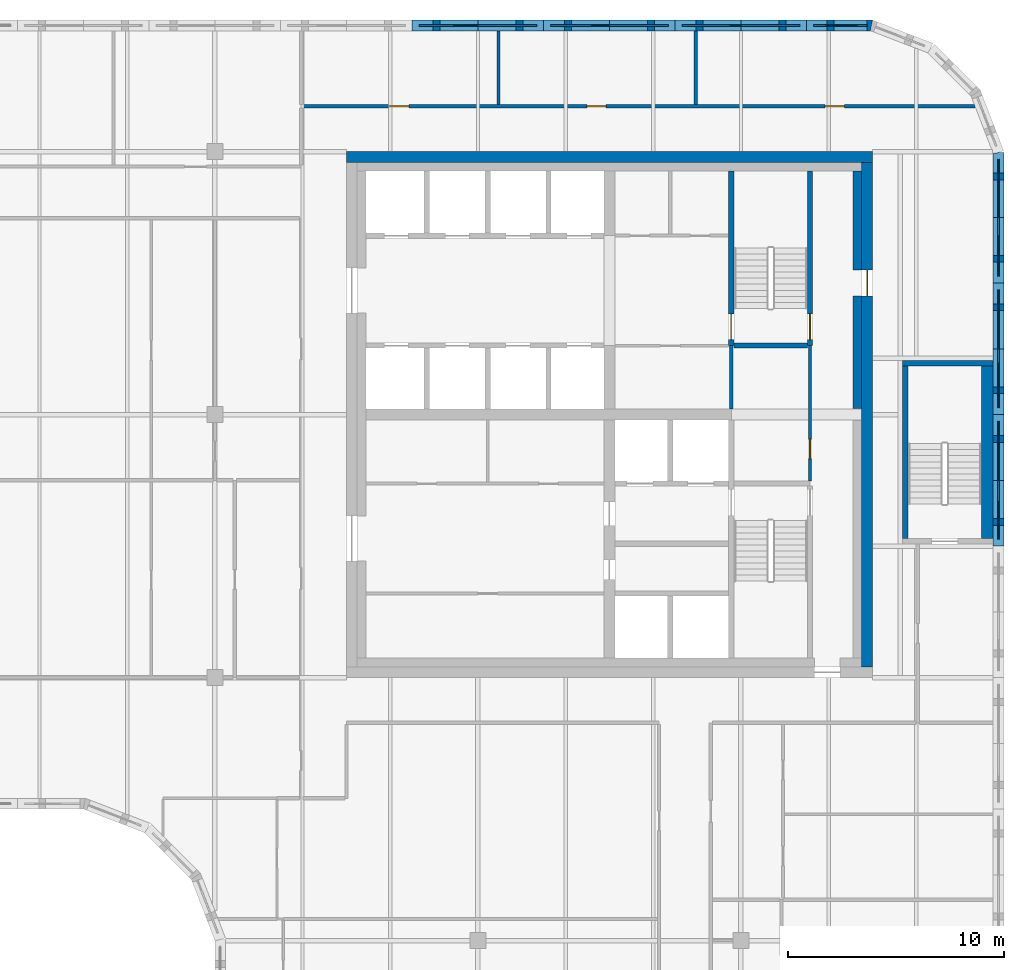
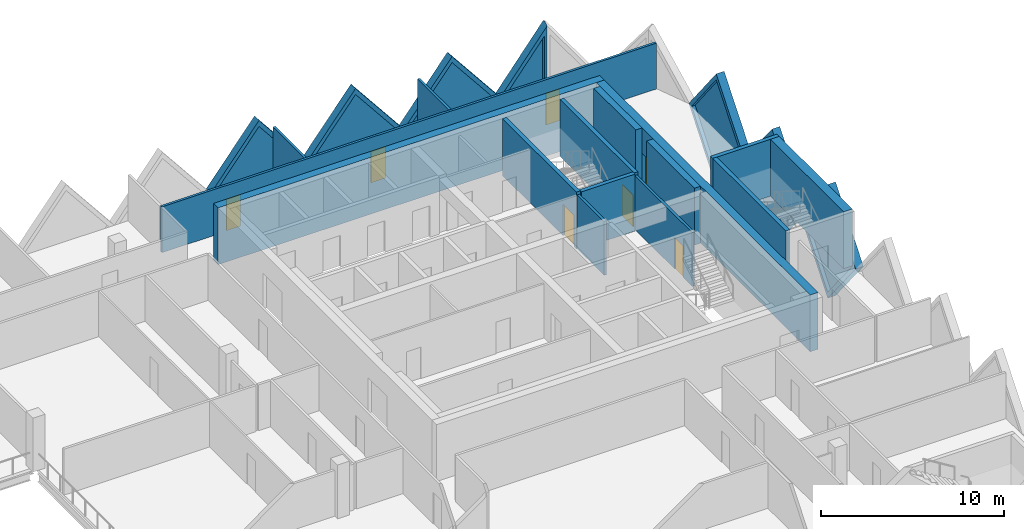
# One storey, part 9 of 11: 22 walls, 7 doors, 7 plates, 14 openings.
"""IFC4 building model written with IfcOpenShell, lengths in metres."""

from ifc_helpers import new_model, si_unit, direction, frame, frame_2d, origin, place, context, subcontext, project, spatial, polyline, rectangle, outline, extrude, faceted_brep, source, transform, mapped, material, layer, layer_set, type_object, element, fill, save


model = new_model("IFC4")

# Units and contexts
model_context = context("Model", 3, precision=1e-05, world=origin(), true_north=direction((0.0, 1.0)))
body_context = subcontext(model_context, "Body", "Model", "MODEL_VIEW")
ifc_project = project(units=[si_unit("LENGTHUNIT", "METRE"), si_unit("AREAUNIT", "SQUARE_METRE"), si_unit("VOLUMEUNIT", "CUBIC_METRE"), si_unit("PLANEANGLEUNIT", "RADIAN"), si_unit("MASSUNIT", "GRAM", prefix="KILO")], contexts=[model_context])

# Site, building, storey
site_placement = place(None, origin())
site = spatial("IfcSite", under=ifc_project, at=site_placement, CompositionType="ELEMENT")
building_placement = place(site_placement, origin())
building = spatial("IfcBuilding", under=site, at=building_placement, Name="Tessera Gate Towers", CompositionType="ELEMENT")
storey_placement = place(building_placement, frame((0.0, 0.0, 205.5)))
storey = spatial("IfcBuildingStorey", under=building, at=storey_placement, Name="L51", CompositionType="ELEMENT", Elevation=205.5)

# Wall, opening, door
ifc_material_1 = material(Name="Concrete C40/50", Category="concrete")
ifc_layer_1 = layer(ifc_material_1, 0.25)
ifc_layer_set_1 = layer_set([ifc_layer_1], Name="CORE ENCLOSURE WALL 250")
wall_type_1 = type_object("IfcWallType", Name="CORE ENCLOSURE WALL 250", PredefinedType="SOLIDWALL", material=ifc_layer_set_1)
wall_1_placement = place(storey_placement, frame((48.35009765625, 47.89990234375, 0.0), z_axis=(0.0, 0.0, 1.0), x_axis=(0.0, -1.0, 0.0)))
wall_1 = element("IfcWall", 1, at=wall_1_placement, inside=storey, type_object=wall_type_1, Name="L51 shaft and stair enclosure wall", PredefinedType="SOLIDWALL", context=body_context, shape_type="SweptSolid", body=[
    extrude(rectangle(XDim=8.099853515625, YDim=0.25, at=frame_2d((4.0498046875, 0.0))), origin(), (0.0, 0.0, 1.0), 3.800048828125),
])
shared_shape_1 = source(origin(), body_context, "Body", "SweptSolid", [
    extrude(rectangle(XDim=1.199951171875, YDim=2.10009765625, at=frame_2d((0.60009765625, 1.050048828125))), frame((0.0, 0.135009765625, 0.0), z_axis=(0.0, -1.0, 0.0), x_axis=(1.0, 0.0, 0.0)), (0.0, 0.0, 1.0), 0.27001953125),
])
opening_1_placement = place(wall_1_placement, frame((6.625, 0.0, 0.0)))
opening_1 = element("IfcOpeningElement", 2, at=opening_1_placement, cuts=wall_1, Name="Opening SD-ST2-1", PredefinedType="OPENING", context=body_context, shape_type="MappedRepresentation", body=[
    mapped(shared_shape_1, transform((0.0, 0.0, 0.0), scale=1.0)),
])
ifc_material_2 = material(Name="Hollow steel fire door", Category="steel")
door_type_1 = type_object("IfcDoorType", Name="CORE DOOR SD 1200x2100", OperationType="NOTDEFINED", PredefinedType="DOOR", material=ifc_material_2)
shared_shape_2 = source(origin(), body_context, "Body", "SweptSolid", [
    extrude(rectangle(XDim=1.199951171875, YDim=2.10009765625, at=frame_2d((0.60009765625, 1.050048828125))), frame((0.0, 0.02490234375, 0.0), z_axis=(0.0, -1.0, 0.0), x_axis=(1.0, 0.0, 0.0)), (0.0, 0.0, 1.0), 0.050048828125),
])
door_1_placement = place(opening_1_placement, origin())
door_1 = element("IfcDoor", 3, at=door_1_placement, inside=storey, type_object=door_type_1, Name="Stair door", OperationType="SINGLE_SWING_RIGHT", OverallHeight=2.10009765625, OverallWidth=1.199951171875, PredefinedType="DOOR", context=body_context, shape_type="MappedRepresentation", body=[
    mapped(shared_shape_2, transform((0.0, 0.0, 0.0), scale=1.0)),
])
fill(opening_1, door_1)

wall_2_placement = place(storey_placement, frame((52.0, 39.800048828125, 0.0), z_axis=(0.0, 0.0, 1.0), x_axis=(0.0, 1.0, 0.0)))
wall_2 = element("IfcWall", 4, at=wall_2_placement, inside=storey, type_object=wall_type_1, Name="L51 shaft and stair enclosure wall", PredefinedType="SOLIDWALL", context=body_context, shape_type="SweptSolid", body=[
    extrude(rectangle(XDim=8.099853515625, YDim=0.25, at=frame_2d((4.0498046875, 0.0))), origin(), (0.0, 0.0, 1.0), 3.800048828125),
])
opening_2_placement = place(wall_2_placement, frame((0.27490234375, 0.0, 0.0)))
opening_2 = element("IfcOpeningElement", 5, at=opening_2_placement, cuts=wall_2, Name="Opening SD-ST2-2", PredefinedType="OPENING", context=body_context, shape_type="MappedRepresentation", body=[
    mapped(shared_shape_1, transform((0.0, 0.0, 0.0), scale=1.0)),
])
door_2_placement = place(opening_2_placement, origin())
door_2 = element("IfcDoor", 6, at=door_2_placement, inside=storey, type_object=door_type_1, Name="Stair door", OperationType="SINGLE_SWING_LEFT", OverallHeight=2.10009765625, OverallWidth=1.199951171875, PredefinedType="DOOR", context=body_context, shape_type="MappedRepresentation", body=[
    mapped(shared_shape_2, transform((0.0, 0.0, 0.0), scale=1.0)),
])
fill(opening_2, door_2)

# Walls
wall_3_placement = place(storey_placement, frame((48.47509765625, 39.800048828125, 0.0), z_axis=(0.0, 0.0, 1.0), x_axis=(1.0, 0.0, 0.0)))
element("IfcWall", 7, at=wall_3_placement, inside=storey, type_object=wall_type_1, Name="L51 shaft and stair enclosure wall", PredefinedType="SOLIDWALL", context=body_context, shape_type="SweptSolid", body=[
    extrude(rectangle(XDim=3.39990234375, YDim=0.25, at=frame_2d((1.699951171875, 0.0))), origin(), (0.0, 0.0, 1.0), 3.800048828125),
])
wall_4_placement = place(storey_placement, frame((56.425048828125, 30.85009765625, 0.0), z_axis=(0.0, 0.0, 1.0), x_axis=(0.0, 1.0, 0.0)))
element("IfcWall", 8, at=wall_4_placement, inside=storey, type_object=wall_type_1, Name="L51 ST5 enclosure wall", PredefinedType="SOLIDWALL", context=body_context, shape_type="SweptSolid", body=[
    extrude(rectangle(XDim=8.0, YDim=0.25, at=frame_2d((4.0, 0.0))), origin(), (0.0, 0.0, 1.0), 3.800048828125),
])
wall_5_placement = place(storey_placement, frame((56.300048828125, 38.97509765625, 0.0), z_axis=(0.0, 0.0, 1.0), x_axis=(1.0, 0.0, 0.0)))
element("IfcWall", 9, at=wall_5_placement, inside=storey, type_object=wall_type_1, Name="L51 ST5 enclosure wall", PredefinedType="SOLIDWALL", context=body_context, shape_type="SweptSolid", body=[
    extrude(rectangle(XDim=4.199951171875, YDim=0.25, at=frame_2d((2.10009765625, 0.0))), origin(), (0.0, 0.0, 1.0), 3.800048828125),
])
ifc_material_3 = material(Name="Concrete C40/50", Category="concrete")
ifc_layer_2 = layer(ifc_material_3, 0.550048828125)
ifc_layer_set_2 = layer_set([ifc_layer_2], Name="CORE ENCLOSURE WALL 550")
wall_type_2 = type_object("IfcWallType", Name="CORE ENCLOSURE WALL 550", PredefinedType="SOLIDWALL", material=ifc_layer_set_2)
wall_6_placement = place(storey_placement, frame((60.22509765625, 38.85009765625, 0.0), z_axis=(0.0, 0.0, 1.0), x_axis=(0.0, -1.0, 0.0)))
element("IfcWall", 10, at=wall_6_placement, inside=storey, type_object=wall_type_2, Name="L51 ST5 enclosure wall", PredefinedType="SOLIDWALL", context=body_context, shape_type="SweptSolid", body=[
    extrude(rectangle(XDim=8.0, YDim=0.550048828125, at=frame_2d((4.0, 0.0))), origin(), (0.0, 0.0, 1.0), 3.800048828125),
])
ifc_material_4 = material(Name="Concrete C50/60", Category="concrete")
ifc_layer_3 = layer(ifc_material_4, 0.5)
ifc_layer_set_3 = layer_set([ifc_layer_3], Name="CORE SHEAR WALL 500 C50/60")
wall_type_3 = type_object("IfcWallType", Name="CORE SHEAR WALL 500 C50/60", PredefinedType="SHEAR", material=ifc_layer_set_3)
wall_7_placement = place(storey_placement, frame((30.5, 48.550048828125, 0.0), z_axis=(0.0, 0.0, 1.0), x_axis=(1.0, 0.0, 0.0)))
element("IfcWall", 11, at=wall_7_placement, inside=storey, type_object=wall_type_3, Name="Core wall N L51", PredefinedType="SHEAR", context=body_context, shape_type="SweptSolid", body=[
    extrude(rectangle(XDim=24.39990234375, YDim=0.5, at=frame_2d((12.199951171875, 0.0))), origin(), (0.0, 0.0, 1.0), 3.800048828125),
])

# Wall, opening, door
wall_8_placement = place(storey_placement, frame((54.64990234375, 48.300048828125, 0.0), z_axis=(0.0, 0.0, 1.0), x_axis=(0.0, -1.0, 0.0)))
wall_8 = element("IfcWall", 12, at=wall_8_placement, inside=storey, type_object=wall_type_3, Name="Core wall E L51", PredefinedType="SHEAR", context=body_context, shape_type="SweptSolid", body=[
    extrude(rectangle(XDim=23.400146484375, YDim=0.5, at=frame_2d((11.7001953125, 0.0))), origin(), (0.0, 0.0, 1.0), 3.800048828125),
])
shared_shape_3 = source(origin(), body_context, "Body", "SweptSolid", [
    extrude(rectangle(XDim=1.199951171875, YDim=2.10009765625, at=frame_2d((0.60009765625, 1.050048828125))), frame((0.0, 0.260009765625, 0.0), z_axis=(0.0, -1.0, 0.0), x_axis=(1.0, 0.0, 0.0)), (0.0, 0.0, 1.0), 0.52001953125),
])
opening_3_placement = place(wall_8_placement, frame((5.0, 0.0, 0.0)))
opening_3 = element("IfcOpeningElement", 13, at=opening_3_placement, cuts=wall_8, Name="Opening ED-T1-31-04", PredefinedType="OPENING", context=body_context, shape_type="MappedRepresentation", body=[
    mapped(shared_shape_3, transform((0.0, 0.0, 0.0), scale=1.0)),
])
ifc_material_5 = material(Name="Hollow steel fire door", Category="steel")
door_type_2 = type_object("IfcDoorType", Name="CORE DOOR ED 1200x2100", OperationType="NOTDEFINED", PredefinedType="DOOR", material=ifc_material_5)
door_3_placement = place(opening_3_placement, origin())
door_3 = element("IfcDoor", 14, at=door_3_placement, inside=storey, type_object=door_type_2, Name="Core exit door", OperationType="SINGLE_SWING_LEFT", OverallHeight=2.10009765625, OverallWidth=1.199951171875, PredefinedType="DOOR", context=body_context, shape_type="MappedRepresentation", body=[
    mapped(shared_shape_2, transform((0.0, 0.0, 0.0), scale=1.0)),
])
fill(opening_3, door_3)

# Walls
ifc_material_6 = material(Name="Concrete C50/60", Category="concrete")
ifc_layer_4 = layer(ifc_material_6, 0.39990234375)
ifc_layer_set_4 = layer_set([ifc_layer_4], Name="CORE WALL THICKENING 400")
wall_type_4 = type_object("IfcWallType", Name="CORE WALL THICKENING 400", PredefinedType="SOLIDWALL", material=ifc_layer_set_4)
wall_9_placement = place(storey_placement, frame((54.199951171875, 36.8798828125, 0.0), z_axis=(0.0, 0.0, 1.0), x_axis=(0.0, 1.0, 0.0)))
element("IfcWall", 15, at=wall_9_placement, inside=storey, type_object=wall_type_4, Name="Core wall thickening E L51", PredefinedType="SOLIDWALL", context=body_context, shape_type="SweptSolid", body=[
    extrude(rectangle(XDim=5.22021484375, YDim=0.39990234375, at=frame_2d((2.610107421875, 0.0))), origin(), (0.0, 0.0, 1.0), 3.800048828125),
])
wall_10_placement = place(storey_placement, frame((54.199951171875, 43.300048828125, 0.0), z_axis=(0.0, 0.0, 1.0), x_axis=(0.0, 1.0, 0.0)))
element("IfcWall", 16, at=wall_10_placement, inside=storey, type_object=wall_type_4, Name="Core wall thickening E L51", PredefinedType="SOLIDWALL", context=body_context, shape_type="SweptSolid", body=[
    extrude(rectangle(XDim=4.599853515625, YDim=0.39990234375, at=frame_2d((2.2998046875, 0.0))), origin(), (0.0, 0.0, 1.0), 3.800048828125),
])

# Wall, openings, doors
ifc_material_7 = material(Name="Gypsum board on steel studs, mineral wool", Category="steel")
ifc_layer_5 = layer(ifc_material_7, 0.14990234375)
ifc_layer_set_5 = layer_set([ifc_layer_5], Name="CORRIDOR WALL 150")
wall_type_5 = type_object("IfcWallType", Name="CORRIDOR WALL 150", PredefinedType="PARTITIONING", material=ifc_layer_set_5)
wall_11_placement = place(storey_placement, frame((28.39990234375, 50.89990234375, 0.0), z_axis=(0.0, 0.0, 1.0), x_axis=(1.0, 0.0, 0.0)))
wall_11 = element("IfcWall", 17, at=wall_11_placement, inside=storey, type_object=wall_type_5, Name="T1-L51-PW-047", PredefinedType="PARTITIONING", context=body_context, shape_type="SweptSolid", body=[
    extrude(rectangle(XDim=31.254150390625, YDim=0.14990234375, at=frame_2d((15.626953125, 0.0))), origin(), (0.0, 0.0, 1.0), 3.06689453125),
])
shared_shape_4 = source(origin(), body_context, "Body", "SweptSolid", [
    extrude(rectangle(XDim=0.89990234375, YDim=2.10009765625, at=frame_2d((0.449951171875, 1.050048828125))), frame((0.0, 0.0849609375, 0.0), z_axis=(0.0, -1.0, 0.0), x_axis=(1.0, 0.0, 0.0)), (0.0, 0.0, 1.0), 0.169921875),
])
opening_4_placement = place(wall_11_placement, frame((4.10009765625, 0.0, 0.0)))
opening_4 = element("IfcOpeningElement", 18, at=opening_4_placement, cuts=wall_11, Name="Opening D890FD60-A18-05", PredefinedType="OPENING", context=body_context, shape_type="MappedRepresentation", body=[
    mapped(shared_shape_4, transform((0.0, 0.0, 0.0), scale=1.0)),
])
opening_5_placement = place(wall_11_placement, frame((13.25, 0.0, 0.0)))
opening_5 = element("IfcOpeningElement", 19, at=opening_5_placement, cuts=wall_11, Name="Opening D890FD60-A18-06", PredefinedType="OPENING", context=body_context, shape_type="MappedRepresentation", body=[
    mapped(shared_shape_4, transform((0.0, 0.0, 0.0), scale=1.0)),
])
opening_6_placement = place(wall_11_placement, frame((24.300048828125, 0.0, 0.0)))
opening_6 = element("IfcOpeningElement", 20, at=opening_6_placement, cuts=wall_11, Name="Opening D890FD60-A18-07", PredefinedType="OPENING", context=body_context, shape_type="MappedRepresentation", body=[
    mapped(shared_shape_4, transform((0.0, 0.0, 0.0), scale=1.0)),
])
ifc_material_8 = material(Name="Timber door leaf in steel frame", Category="steel")
door_type_3 = type_object("IfcDoorType", Name="CORRIDOR DOOR 900 FD60", OperationType="NOTDEFINED", PredefinedType="DOOR", material=ifc_material_8)
shared_shape_5 = source(origin(), body_context, "Body", "SweptSolid", [
    extrude(rectangle(XDim=0.89990234375, YDim=2.10009765625, at=frame_2d((0.449951171875, 1.050048828125))), frame((0.0, 0.02490234375, 0.0), z_axis=(0.0, -1.0, 0.0), x_axis=(1.0, 0.0, 0.0)), (0.0, 0.0, 1.0), 0.050048828125),
])
door_4_placement = place(opening_4_placement, origin())
door_4 = element("IfcDoor", 21, at=door_4_placement, inside=storey, type_object=door_type_3, Name="T1-L51-PD-017", OperationType="SINGLE_SWING_LEFT", OverallHeight=2.10009765625, OverallWidth=0.89990234375, PredefinedType="DOOR", context=body_context, shape_type="MappedRepresentation", body=[
    mapped(shared_shape_5, transform((0.0, 0.0, 0.0), scale=1.0)),
])
fill(opening_4, door_4)
door_5_placement = place(opening_5_placement, origin())
door_5 = element("IfcDoor", 22, at=door_5_placement, inside=storey, type_object=door_type_3, Name="T1-L51-PD-019", OperationType="SINGLE_SWING_LEFT", OverallHeight=2.10009765625, OverallWidth=0.89990234375, PredefinedType="DOOR", context=body_context, shape_type="MappedRepresentation", body=[
    mapped(shared_shape_5, transform((0.0, 0.0, 0.0), scale=1.0)),
])
fill(opening_5, door_5)
door_6_placement = place(opening_6_placement, origin())
door_6 = element("IfcDoor", 23, at=door_6_placement, inside=storey, type_object=door_type_3, Name="T1-L51-PD-026", OperationType="SINGLE_SWING_LEFT", OverallHeight=2.10009765625, OverallWidth=0.89990234375, PredefinedType="DOOR", context=body_context, shape_type="MappedRepresentation", body=[
    mapped(shared_shape_5, transform((0.0, 0.0, 0.0), scale=1.0)),
])
fill(opening_6, door_6)

# Wall, opening, door
ifc_material_9 = material(Name="Gypsum board on steel studs", Category="steel")
ifc_layer_6 = layer(ifc_material_9, 0.14990234375)
ifc_layer_set_6 = layer_set([ifc_layer_6], Name="SERVICE ROOM WALL 150")
wall_type_6 = type_object("IfcWallType", Name="SERVICE ROOM WALL 150", PredefinedType="PARTITIONING", material=ifc_layer_set_6)
wall_12_placement = place(storey_placement, frame((52.0, 33.52490234375, 0.0), z_axis=(0.0, 0.0, 1.0), x_axis=(0.0, 1.0, 0.0)))
wall_12 = element("IfcWall", 24, at=wall_12_placement, inside=storey, type_object=wall_type_6, Name="L51 service room wall", PredefinedType="PARTITIONING", context=body_context, shape_type="SweptSolid", body=[
    extrude(rectangle(XDim=6.275146484375, YDim=0.14990234375, at=frame_2d((3.1376953125, 0.0))), origin(), (0.0, 0.0, 1.0), 3.60009765625),
])
opening_7_placement = place(wall_12_placement, frame((1.02490234375, 0.0, 0.0)))
opening_7 = element("IfcOpeningElement", 25, at=opening_7_placement, cuts=wall_12, Name="Opening RD-T1-31-10", PredefinedType="OPENING", context=body_context, shape_type="MappedRepresentation", body=[
    mapped(shared_shape_4, transform((0.0, 0.0, 0.0), scale=1.0)),
])
ifc_material_10 = material(Name="Hollow steel fire door", Category="steel")
door_type_4 = type_object("IfcDoorType", Name="CORE DOOR RD 900x2100", OperationType="NOTDEFINED", PredefinedType="DOOR", material=ifc_material_10)
door_7_placement = place(opening_7_placement, origin())
door_7 = element("IfcDoor", 26, at=door_7_placement, inside=storey, type_object=door_type_4, Name="Core room door", OperationType="SINGLE_SWING_LEFT", OverallHeight=2.10009765625, OverallWidth=0.89990234375, PredefinedType="DOOR", context=body_context, shape_type="MappedRepresentation", body=[
    mapped(shared_shape_5, transform((0.0, 0.0, 0.0), scale=1.0)),
])
fill(opening_7, door_7)

# Walls
wall_13_placement = place(storey_placement, frame((48.35009765625, 36.85009765625, 0.0), z_axis=(0.0, 0.0, 1.0), x_axis=(0.0, 1.0, 0.0)))
element("IfcWall", 27, at=wall_13_placement, inside=storey, type_object=wall_type_6, Name="L51 service room wall", PredefinedType="PARTITIONING", context=body_context, shape_type="SweptSolid", body=[
    extrude(rectangle(XDim=2.949951171875, YDim=0.14990234375, at=frame_2d((1.47509765625, 0.0))), origin(), (0.0, 0.0, 1.0), 3.60009765625),
])
ifc_material_11 = material(Name="Gypsum board on steel studs, mineral wool", Category="steel")
ifc_layer_7 = layer(ifc_material_11, 0.14990234375)
ifc_layer_set_7 = layer_set([ifc_layer_7], Name="TENANCY WALL 150")
wall_type_7 = type_object("IfcWallType", Name="TENANCY WALL 150", PredefinedType="PARTITIONING", material=ifc_layer_set_7)
for number, where, z_axis, x_axis, name in (
    (28, (37.550048828125, 50.97607421875, 0.0), (0.0, 0.0, 1.0), (0.0, 1.0, 0.0), "T1-L51-PW-049"),
    (29, (46.699951171875, 50.97607421875, 0.0), (0.0, 0.0, 1.0), (0.0, 1.0, 0.0), "T1-L51-PW-050"),
):
    element("IfcWall", number, at=place(storey_placement, frame(where, z_axis=z_axis, x_axis=x_axis)), inside=storey, type_object=wall_type_7, Name=name, PredefinedType="PARTITIONING", context=body_context, shape_type="SweptSolid", body=[
        extrude(rectangle(XDim=3.423828125, YDim=0.14990234375, at=frame_2d((1.7119140625, 0.0))), origin(), (0.0, 0.0, 1.0), 3.06689453125),
    ])

# Wall, opening, plate
ifc_material_12 = material(Name="Precast concrete C60/75 white", Category="concrete")
ifc_layer_8 = layer(ifc_material_12, 0.5)
ifc_layer_set_8 = layer_set([ifc_layer_8], Name="TS1 tessera")
wall_type_8 = type_object("IfcWallType", Name="TS1 tessera", PredefinedType="SOLIDWALL", material=ifc_layer_set_8)
shared_shape_6 = source(origin(), body_context, "Body", "Brep", [
    faceted_brep([(3.050048828125, -0.25, 0.0), (6.099853515625, -0.25, 3.7998046875), (6.099853515625, -0.25, 3.80029296875), (3.050048828125, -0.25, 7.60009765625), (0.0, -0.25, 3.800048828125), (0.0, 0.25, 3.800048828125), (3.050048828125, 0.25, 7.60009765625), (6.099853515625, 0.25, 3.80029296875), (6.099853515625, 0.25, 3.7998046875), (3.050048828125, 0.25, 0.0)], [[[0, 1, 2, 3, 4]], [[5, 6, 7, 8, 9]], [[9, 8, 1, 0]], [[7, 6, 3, 2]], [[6, 5, 4, 3]], [[5, 9, 0, 4]], [[1, 8, 7, 2]]]),
])
wall_14_placement = place(storey_placement, frame((60.75, 36.60009765625, -3.800048828125), z_axis=(0.0, 0.0, 1.0), x_axis=(0.0, 1.0, 0.0)))
wall_14 = element("IfcWall", 30, at=wall_14_placement, inside=storey, type_object=wall_type_8, Name="Precast tessera T1 TS1-0882", PredefinedType="SOLIDWALL", context=body_context, shape_type="MappedRepresentation", body=[
    mapped(shared_shape_6, transform((0.0, 0.0, 0.0), scale=1.0)),
])
shared_shape_7 = source(origin(), body_context, "Body", "SweptSolid", [
    extrude(outline(polyline([(3.050048828125, 0.3994140625), (5.779541015625, 3.800048828125), (3.050048828125, 7.20068359375), (0.320556640625, 3.800048828125), (3.050048828125, 0.3994140625)])), frame((0.0, 0.260009765625, 0.0), z_axis=(0.0, -1.0, 0.0), x_axis=(1.0, 0.0, 0.0)), (0.0, 0.0, 1.0), 0.52001953125),
])
opening_8_placement = place(wall_14_placement, origin())
opening_8 = element("IfcOpeningElement", 31, at=opening_8_placement, cuts=wall_14, Name="Opening T1-PL2-1800", PredefinedType="OPENING", context=body_context, shape_type="MappedRepresentation", body=[
    mapped(shared_shape_7, transform((0.0, 0.0, 0.0), scale=1.0)),
])
ifc_material_13 = material(Name="Low-e laminated glass", Category="glass")
ifc_layer_9 = layer(ifc_material_13, 0.06005859375)
ifc_layer_set_9 = layer_set([ifc_layer_9], Name="PL2 rhombic pane")
plate_type = type_object("IfcPlateType", Name="PL2 rhombic pane", PredefinedType="SHEET", material=ifc_layer_set_9)
shared_shape_8 = source(origin(), body_context, "Body", "SweptSolid", [
    extrude(outline(polyline([(3.050048828125, 0.3994140625), (5.779541015625, 3.800048828125), (3.050048828125, 7.20068359375), (0.320556640625, 3.800048828125), (3.050048828125, 0.3994140625)])), frame((0.0, 0.030029296875, 0.0), z_axis=(0.0, -1.0, 0.0), x_axis=(1.0, 0.0, 0.0)), (0.0, 0.0, 1.0), 0.06005859375),
])
plate_1_placement = place(opening_8_placement, origin())
plate_1 = element("IfcPlate", 32, at=plate_1_placement, inside=storey, type_object=plate_type, Name="Glass pane T1 PL2-1800", PredefinedType="SHEET", context=body_context, shape_type="MappedRepresentation", body=[
    mapped(shared_shape_8, transform((0.0, 0.0, 0.0), scale=1.0)),
])
fill(opening_8, plate_1)

wall_15_placement = place(storey_placement, frame((39.64990234375, 54.64990234375, -3.800048828125), z_axis=(0.0, 0.0, 1.0), x_axis=(-1.0, 0.0, 0.0)))
wall_15 = element("IfcWall", 33, at=wall_15_placement, inside=storey, type_object=wall_type_8, Name="Precast tessera T1 TS1-0886", PredefinedType="SOLIDWALL", context=body_context, shape_type="MappedRepresentation", body=[
    mapped(shared_shape_6, transform((0.0, 0.0, 0.0), scale=1.0)),
])
opening_9_placement = place(wall_15_placement, origin())
opening_9 = element("IfcOpeningElement", 34, at=opening_9_placement, cuts=wall_15, Name="Opening T1-PL2-1808", PredefinedType="OPENING", context=body_context, shape_type="MappedRepresentation", body=[
    mapped(shared_shape_7, transform((0.0, 0.0, 0.0), scale=1.0)),
])
plate_2_placement = place(opening_9_placement, origin())
plate_2 = element("IfcPlate", 35, at=plate_2_placement, inside=storey, type_object=plate_type, Name="Glass pane T1 PL2-1808", PredefinedType="SHEET", context=body_context, shape_type="MappedRepresentation", body=[
    mapped(shared_shape_8, transform((0.0, 0.0, 0.0), scale=1.0)),
])
fill(opening_9, plate_2)

shared_shape_9 = source(origin(), body_context, "Body", "SweptSolid", [
    extrude(outline(polyline([(3.050048828125, 0.0), (6.10009765625, 3.800048828125), (3.050048828125, 7.60009765625), (0.0, 3.800048828125), (3.050048828125, 0.0)])), frame((0.0, 0.25, 0.0), z_axis=(0.0, -1.0, 0.0), x_axis=(1.0, 0.0, 0.0)), (0.0, 0.0, 1.0), 0.5),
])
wall_16_placement = place(storey_placement, frame((60.75, 30.5, -3.800048828125), z_axis=(0.0, 0.0, 1.0), x_axis=(0.0, 1.0, 0.0)))
wall_16 = element("IfcWall", 36, at=wall_16_placement, inside=storey, type_object=wall_type_8, Name="Precast tessera T1 TS1-0881", PredefinedType="SOLIDWALL", context=body_context, shape_type="MappedRepresentation", body=[
    mapped(shared_shape_9, transform((0.0, 0.0, 0.0), scale=1.0)),
])
opening_10_placement = place(wall_16_placement, origin())
opening_10 = element("IfcOpeningElement", 37, at=opening_10_placement, cuts=wall_16, Name="Opening T1-PL2-1799", PredefinedType="OPENING", context=body_context, shape_type="MappedRepresentation", body=[
    mapped(shared_shape_7, transform((0.0, 0.0, 0.0), scale=1.0)),
])
plate_3_placement = place(opening_10_placement, origin())
plate_3 = element("IfcPlate", 38, at=plate_3_placement, inside=storey, type_object=plate_type, Name="Glass pane T1 PL2-1799", PredefinedType="SHEET", context=body_context, shape_type="MappedRepresentation", body=[
    mapped(shared_shape_8, transform((0.0, 0.0, 0.0), scale=1.0)),
])
fill(opening_10, plate_3)

wall_17_placement = place(storey_placement, frame((51.85009765625, 54.64990234375, -3.800048828125), z_axis=(0.0, 0.0, 1.0), x_axis=(-1.0, 0.0, 0.0)))
wall_17 = element("IfcWall", 39, at=wall_17_placement, inside=storey, type_object=wall_type_8, Name="Precast tessera T1 TS1-0884", PredefinedType="SOLIDWALL", context=body_context, shape_type="MappedRepresentation", body=[
    mapped(shared_shape_9, transform((0.0, 0.0, 0.0), scale=1.0)),
])
opening_11_placement = place(wall_17_placement, origin())
opening_11 = element("IfcOpeningElement", 40, at=opening_11_placement, cuts=wall_17, Name="Opening T1-PL2-1806", PredefinedType="OPENING", context=body_context, shape_type="MappedRepresentation", body=[
    mapped(shared_shape_7, transform((0.0, 0.0, 0.0), scale=1.0)),
])
plate_4_placement = place(opening_11_placement, origin())
plate_4 = element("IfcPlate", 41, at=plate_4_placement, inside=storey, type_object=plate_type, Name="Glass pane T1 PL2-1806", PredefinedType="SHEET", context=body_context, shape_type="MappedRepresentation", body=[
    mapped(shared_shape_8, transform((0.0, 0.0, 0.0), scale=1.0)),
])
fill(opening_11, plate_4)

wall_18_placement = place(storey_placement, frame((45.75, 54.64990234375, -3.800048828125), z_axis=(0.0, 0.0, 1.0), x_axis=(-1.0, 0.0, 0.0)))
wall_18 = element("IfcWall", 42, at=wall_18_placement, inside=storey, type_object=wall_type_8, Name="Precast tessera T1 TS1-0885", PredefinedType="SOLIDWALL", context=body_context, shape_type="MappedRepresentation", body=[
    mapped(shared_shape_9, transform((0.0, 0.0, 0.0), scale=1.0)),
])
opening_12_placement = place(wall_18_placement, origin())
opening_12 = element("IfcOpeningElement", 43, at=opening_12_placement, cuts=wall_18, Name="Opening T1-PL2-1807", PredefinedType="OPENING", context=body_context, shape_type="MappedRepresentation", body=[
    mapped(shared_shape_7, transform((0.0, 0.0, 0.0), scale=1.0)),
])
plate_5_placement = place(opening_12_placement, origin())
plate_5 = element("IfcPlate", 44, at=plate_5_placement, inside=storey, type_object=plate_type, Name="Glass pane T1 PL2-1807", PredefinedType="SHEET", context=body_context, shape_type="MappedRepresentation", body=[
    mapped(shared_shape_8, transform((0.0, 0.0, 0.0), scale=1.0)),
])
fill(opening_12, plate_5)

shared_shape_10 = source(origin(), body_context, "Body", "Brep", [
    faceted_brep([(3.050048828125, -0.25, 0.0), (6.053466796875, -0.25, 3.800048828125), (3.050048828125, -0.25, 7.60009765625), (0.0, -0.25, 3.800048828125), (0.0, 0.25, 3.800048828125), (3.050048828125, 0.25, 7.60009765625), (6.0068359375, 0.25, 3.85888671875), (6.0068359375, 0.25, 3.7412109375), (3.050048828125, 0.25, 0.0), (6.053466796875, 0.0, 3.800048828125)], [[[0, 1, 2, 3]], [[4, 5, 6, 7, 8]], [[8, 7, 9, 1, 0]], [[6, 5, 2, 1, 9]], [[5, 4, 3, 2]], [[4, 8, 0, 3]], [[9, 7, 6]]]),
])
wall_19_placement = place(storey_placement, frame((60.75, 42.699951171875, -3.800048828125), z_axis=(0.0, 0.0, 1.0), x_axis=(0.0, 1.0, 0.0)))
wall_19 = element("IfcWall", 45, at=wall_19_placement, inside=storey, type_object=wall_type_8, Name="Precast tessera T1 TS1-0883", PredefinedType="SOLIDWALL", context=body_context, shape_type="MappedRepresentation", body=[
    mapped(shared_shape_10, transform((0.0, 0.0, 0.0), scale=1.0)),
])
shared_shape_11 = source(origin(), body_context, "Body", "SweptSolid", [
    extrude(outline(polyline([(3.048583984375, 0.4013671875), (5.73486328125, 3.800048828125), (3.048583984375, 7.19873046875), (0.320556640625, 3.800048828125), (3.048583984375, 0.4013671875)])), frame((0.0, 0.260009765625, 0.0), z_axis=(0.0, -1.0, 0.0), x_axis=(1.0, 0.0, 0.0)), (0.0, 0.0, 1.0), 0.52001953125),
])
opening_13_placement = place(wall_19_placement, origin())
opening_13 = element("IfcOpeningElement", 46, at=opening_13_placement, cuts=wall_19, Name="Opening T1-PL2-1801", PredefinedType="OPENING", context=body_context, shape_type="MappedRepresentation", body=[
    mapped(shared_shape_11, transform((0.0, 0.0, 0.0), scale=1.0)),
])
shared_shape_12 = source(origin(), body_context, "Body", "SweptSolid", [
    extrude(outline(polyline([(3.048583984375, 0.4013671875), (5.73486328125, 3.800048828125), (3.048583984375, 7.19873046875), (0.320556640625, 3.800048828125), (3.048583984375, 0.4013671875)])), frame((0.0, 0.030029296875, 0.0), z_axis=(0.0, -1.0, 0.0), x_axis=(1.0, 0.0, 0.0)), (0.0, 0.0, 1.0), 0.06005859375),
])
plate_6_placement = place(opening_13_placement, origin())
plate_6 = element("IfcPlate", 47, at=plate_6_placement, inside=storey, type_object=plate_type, Name="Glass pane T1 PL2-1801", PredefinedType="SHEET", context=body_context, shape_type="MappedRepresentation", body=[
    mapped(shared_shape_12, transform((0.0, 0.0, 0.0), scale=1.0)),
])
fill(opening_13, plate_6)

ifc_material_14 = material(Name="Precast concrete C60/75 white", Category="concrete")
ifc_layer_10 = layer(ifc_material_14, 0.5)
ifc_layer_set_10 = layer_set([ifc_layer_10], Name="TS3 corner tessera")
wall_type_9 = type_object("IfcWallType", Name="TS3 corner tessera", PredefinedType="SOLIDWALL", material=ifc_layer_set_10)
shared_shape_13 = source(origin(), body_context, "Body", "Brep", [
    faceted_brep([(0.046630859375, -0.25, 0.0), (3.050048828125, -0.25, 3.800048828125), (0.046630859375, -0.25, 7.60009765625), (0.0, -0.25, 7.5400390625), (0.0, -0.25, 0.06005859375), (0.09326171875, 0.25, 7.541259765625), (3.050048828125, 0.25, 3.800048828125), (0.09326171875, 0.25, 0.058837890625), (0.046630859375, 0.0, 0.0), (0.046630859375, 0.0, 7.60009765625)], [[[0, 1, 2, 3, 4]], [[5, 6, 7]], [[7, 6, 1, 0, 8]], [[6, 5, 9, 2, 1]], [[3, 2, 9]], [[8, 0, 4]], [[7, 8, 4, 3, 9, 5]]]),
])
wall_20_placement = place(storey_placement, frame((54.900146484375, 54.64990234375, -3.800048828125), z_axis=(0.0, 0.0, 1.0), x_axis=(-1.0, 0.0, 0.0)))
wall_20 = element("IfcWall", 48, at=wall_20_placement, inside=storey, type_object=wall_type_9, Name="Precast corner tessera T1 TS3-1186", PredefinedType="SOLIDWALL", context=body_context, shape_type="MappedRepresentation", body=[
    mapped(shared_shape_13, transform((0.0, 0.0, 0.0), scale=1.0)),
])
shared_shape_14 = source(origin(), body_context, "Body", "SweptSolid", [
    extrude(outline(polyline([(0.24658203125, 0.65625), (2.7314453125, 3.800048828125), (0.24658203125, 6.94384765625), (0.24658203125, 0.65625)])), frame((0.0, 0.260009765625, 0.0), z_axis=(0.0, -1.0, 0.0), x_axis=(1.0, 0.0, 0.0)), (0.0, 0.0, 1.0), 0.52001953125),
])
opening_14_placement = place(wall_20_placement, origin())
opening_14 = element("IfcOpeningElement", 49, at=opening_14_placement, cuts=wall_20, Name="Opening T1-PL2-1805", PredefinedType="OPENING", context=body_context, shape_type="MappedRepresentation", body=[
    mapped(shared_shape_14, transform((0.0, 0.0, 0.0), scale=1.0)),
])
shared_shape_15 = source(origin(), body_context, "Body", "SweptSolid", [
    extrude(outline(polyline([(0.24658203125, 0.65625), (2.7314453125, 3.800048828125), (0.24658203125, 6.94384765625), (0.24658203125, 0.65625)])), frame((0.0, 0.030029296875, 0.0), z_axis=(0.0, -1.0, 0.0), x_axis=(1.0, 0.0, 0.0)), (0.0, 0.0, 1.0), 0.06005859375),
])
plate_7_placement = place(opening_14_placement, origin())
plate_7 = element("IfcPlate", 50, at=plate_7_placement, inside=storey, type_object=plate_type, Name="Glass pane T1 PL2-1805", PredefinedType="SHEET", context=body_context, shape_type="MappedRepresentation", body=[
    mapped(shared_shape_15, transform((0.0, 0.0, 0.0), scale=1.0)),
])
fill(opening_14, plate_7)

save(model, "model.ifc")
